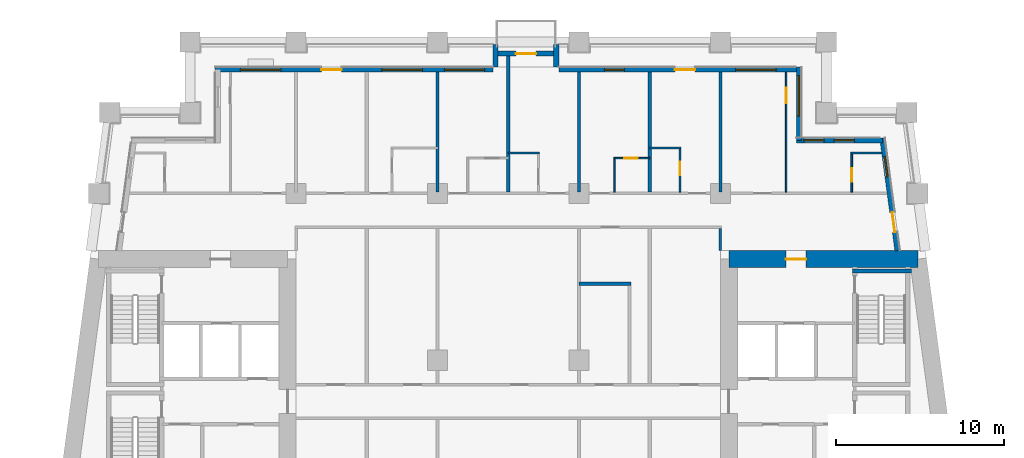
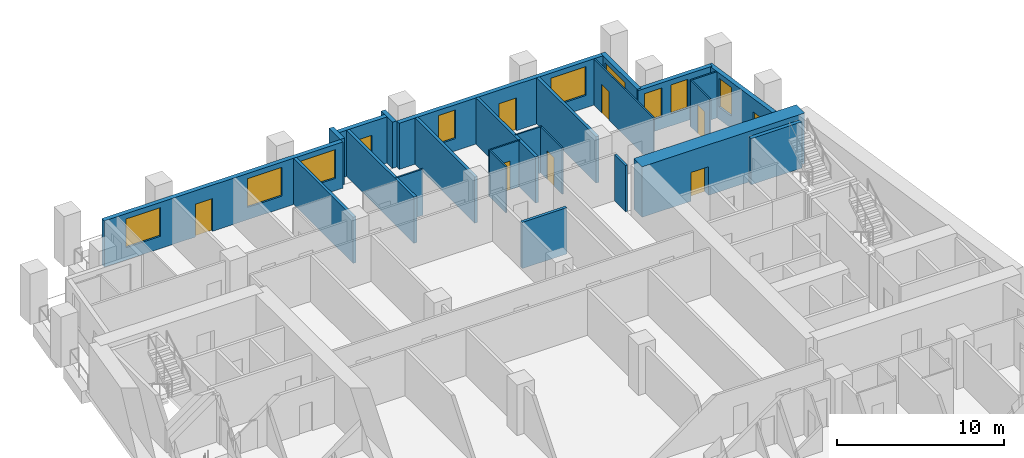
# One storey, part 8 of 14: 25 walls, 9 doors, 9 windows, 18 openings.
"""IFC4 building model written with IfcOpenShell, lengths in metres."""

from ifc_helpers import new_model, si_unit, direction, frame, frame_2d, origin, place, context, subcontext, project, spatial, rectangle, extrude, material, layer, layer_set, type_object, element, fill, save


model = new_model("IFC4")

# Units and contexts
model_context = context("Model", 3, precision=1e-05, world=origin(), true_north=direction((0.0, 1.0)))
body_context = subcontext(model_context, "Body", "Model", "MODEL_VIEW")
ifc_project = project(units=[si_unit("LENGTHUNIT", "METRE"), si_unit("AREAUNIT", "SQUARE_METRE"), si_unit("VOLUMEUNIT", "CUBIC_METRE"), si_unit("PLANEANGLEUNIT", "RADIAN"), si_unit("MASSUNIT", "GRAM", prefix="KILO")], contexts=[model_context])

# Site, building, storey
site_placement = place(None, origin())
site = spatial("IfcSite", under=ifc_project, at=site_placement, CompositionType="ELEMENT")
building_placement = place(site_placement, origin())
building = spatial("IfcBuilding", under=site, at=building_placement, Name="Candeia Pilgrim Tower and Theatre", CompositionType="ELEMENT")
storey_placement = place(building_placement, frame((0.0, 0.0, 124.300048828125)))
storey = spatial("IfcBuildingStorey", under=building, at=storey_placement, Name="L29", CompositionType="ELEMENT", Elevation=124.300048828125)

# Wall, opening, door
ifc_material_1 = material(Name="Concrete C70/85", Category="concrete")
ifc_layer_1 = layer(ifc_material_1, 1.0)
ifc_layer_set_1 = layer_set([ifc_layer_1], Name="Core wall 1000 C70/85")
wall_type_1 = type_object("IfcWallType", Name="Core wall 1000 C70/85", PredefinedType="SHEAR", material=ifc_layer_set_1)
wall_1_placement = place(storey_placement, frame((126.5, 131.89990234375, 0.0), z_axis=(0.0, 0.0, 1.0), x_axis=(1.0, 0.0, 0.0)))
wall_1 = element("IfcWall", 1, at=wall_1_placement, inside=storey, type_object=wall_type_1, Name="Core wall E1", PredefinedType="SHEAR", context=body_context, shape_type="SweptSolid", body=[
    extrude(rectangle(XDim=11.23193359375, YDim=1.0, at=frame_2d((5.615966796875, 0.0))), origin(), (0.0, 0.0, 1.0), 3.699951171875),
])
opening_1_placement = place(wall_1_placement, frame((3.386474609375, 0.0, 0.0)))
opening_1 = element("IfcOpeningElement", 2, at=opening_1_placement, cuts=wall_1, Name="Opening L29-D070", PredefinedType="OPENING", context=body_context, shape_type="SweptSolid", body=[
    extrude(rectangle(XDim=1.199951171875, YDim=2.10009765625, at=frame_2d((0.60009765625, 1.050048828125))), frame((0.0, 0.510009765625, 0.0), z_axis=(0.0, -1.0, 0.0), x_axis=(1.0, 0.0, 0.0)), (0.0, 0.0, 1.0), 1.02001953125),
])
ifc_material_2 = material(Name="Steel fire door set", Category="steel")
door_type_1 = type_object("IfcDoorType", Name="D-1200-FD60", OperationType="NOTDEFINED", PredefinedType="DOOR", material=ifc_material_2)
door_1_placement = place(opening_1_placement, origin())
door_1 = element("IfcDoor", 3, at=door_1_placement, inside=storey, type_object=door_type_1, Name="Door L29-D070", OperationType="SINGLE_SWING_LEFT", OverallHeight=2.10009765625, OverallWidth=1.199951171875, PredefinedType="DOOR", context=body_context, shape_type="SweptSolid", body=[
    extrude(rectangle(XDim=1.199951171875, YDim=2.10009765625, at=frame_2d((0.60009765625, 1.050048828125))), frame((0.0, 0.02490234375, 0.0), z_axis=(0.0, -1.0, 0.0), x_axis=(1.0, 0.0, 0.0)), (0.0, 0.0, 1.0), 0.050048828125),
])
fill(opening_1, door_1)

# Wall, openings, door, window
ifc_material_3 = material(Name="Ceramic block masonry", Category="masonry")
ifc_layer_2 = layer(ifc_material_3, 0.300048828125)
ifc_layer_set_2 = layer_set([ifc_layer_2], Name="EW1 glazing-line wall 300")
wall_type_2 = type_object("IfcWallType", Name="EW1 glazing-line wall 300", PredefinedType="SOLIDWALL", material=ifc_layer_set_2)
wall_2_placement = place(storey_placement, frame((136.50439453125, 132.39990234375, 0.0), z_axis=(0.0, 0.0, 1.0), x_axis=(-0.133399697462, 0.99106231929, 0.0)))
wall_2 = element("IfcWall", 4, at=wall_2_placement, inside=storey, type_object=wall_type_2, Name="External wall L29-3.1", PredefinedType="SOLIDWALL", context=body_context, shape_type="SweptSolid", body=[
    extrude(rectangle(XDim=6.740478515625, YDim=0.300048828125, at=frame_2d((3.3701171875, 0.0))), origin(), (0.0, 0.0, 1.0), 3.3798828125),
])
opening_2_placement = place(wall_2_placement, frame((1.115234375, 0.0, 0.0)))
opening_2 = element("IfcOpeningElement", 5, at=opening_2_placement, cuts=wall_2, Name="Opening L29-ED294", PredefinedType="OPENING", context=body_context, shape_type="SweptSolid", body=[
    extrude(rectangle(XDim=1.199951171875, YDim=2.39990234375, at=frame_2d((0.60009765625, 1.199951171875))), frame((0.0, 0.16015625, 0.0), z_axis=(0.0, -1.0, 0.0), x_axis=(1.0, 0.0, 0.0)), (0.0, 0.0, 1.0), 0.320068359375),
])
opening_3_placement = place(wall_2_placement, frame((4.435546875, 0.0, 0.89990234375)))
opening_3 = element("IfcOpeningElement", 6, at=opening_3_placement, cuts=wall_2, Name="Opening W-B", PredefinedType="OPENING", context=body_context, shape_type="SweptSolid", body=[
    extrude(rectangle(XDim=1.199951171875, YDim=2.10009765625, at=frame_2d((0.60009765625, 1.050048828125))), frame((0.0, 0.16015625, 0.0), z_axis=(0.0, -1.0, 0.0), x_axis=(1.0, 0.0, 0.0)), (0.0, 0.0, 1.0), 0.320068359375),
])
ifc_material_4 = material(Name="Aluminium framed glazed door", Category="aluminium")
door_type_2 = type_object("IfcDoorType", Name="Loggia door 1200x2400", OperationType="DOUBLE_DOOR_SINGLE_SWING", PredefinedType="DOOR", material=ifc_material_4)
door_2_placement = place(opening_2_placement, origin())
door_2 = element("IfcDoor", 7, at=door_2_placement, inside=storey, type_object=door_type_2, Name="Loggia door L29-ED294", OperationType="DOUBLE_DOOR_SINGLE_SWING", OverallHeight=2.39990234375, OverallWidth=1.199951171875, PredefinedType="DOOR", context=body_context, shape_type="SweptSolid", body=[
    extrude(rectangle(XDim=1.199951171875, YDim=2.39990234375, at=frame_2d((0.60009765625, 1.199951171875))), frame((0.0, 0.02490234375, 0.0), z_axis=(0.0, -1.0, 0.0), x_axis=(1.0, 0.0, 0.0)), (0.0, 0.0, 1.0), 0.050048828125),
])
fill(opening_2, door_2)
ifc_material_5 = material(Name="Aluminium framed double glazing", Category="aluminium")
window_type_1 = type_object("IfcWindowType", Name="W-B window 1200x2100", PartitioningType="SINGLE_PANEL", PredefinedType="WINDOW", material=ifc_material_5)
window_1_placement = place(opening_3_placement, origin())
window_1 = element("IfcWindow", 8, at=window_1_placement, inside=storey, type_object=window_type_1, Name="Window W-B L29", OverallHeight=2.10009765625, OverallWidth=1.199951171875, PartitioningType="SINGLE_PANEL", PredefinedType="WINDOW", context=body_context, shape_type="SweptSolid", body=[
    extrude(rectangle(XDim=1.199951171875, YDim=2.10009765625, at=frame_2d((0.60009765625, 1.050048828125))), frame((0.0, 0.030029296875, 0.0), z_axis=(0.0, -1.0, 0.0), x_axis=(1.0, 0.0, 0.0)), (0.0, 0.0, 1.0), 0.06005859375),
])
fill(opening_3, window_1)

# Wall, openings, windows
wall_3_placement = place(storey_placement, frame((135.62255859375, 138.949951171875, 0.0), z_axis=(0.0, 0.0, 1.0), x_axis=(-1.0, 0.0, 0.0)))
wall_3 = element("IfcWall", 9, at=wall_3_placement, inside=storey, type_object=wall_type_2, Name="External wall L29-4.0", PredefinedType="SOLIDWALL", context=body_context, shape_type="SweptSolid", body=[
    extrude(rectangle(XDim=5.12255859375, YDim=0.300048828125, at=frame_2d((2.561279296875, 0.0))), origin(), (0.0, 0.0, 1.0), 3.3798828125),
])
opening_4_placement = place(wall_3_placement, frame((1.672607421875, 0.0, 0.89990234375)))
opening_4 = element("IfcOpeningElement", 10, at=opening_4_placement, cuts=wall_3, Name="Opening W-B", PredefinedType="OPENING", context=body_context, shape_type="SweptSolid", body=[
    extrude(rectangle(XDim=1.199951171875, YDim=2.10009765625, at=frame_2d((0.60009765625, 1.050048828125))), frame((0.0, 0.16015625, 0.0), z_axis=(0.0, -1.0, 0.0), x_axis=(1.0, 0.0, 0.0)), (0.0, 0.0, 1.0), 0.320068359375),
])
opening_5_placement = place(wall_3_placement, frame((3.47265625, 0.0, 0.89990234375)))
opening_5 = element("IfcOpeningElement", 11, at=opening_5_placement, cuts=wall_3, Name="Opening W-B", PredefinedType="OPENING", context=body_context, shape_type="SweptSolid", body=[
    extrude(rectangle(XDim=1.199951171875, YDim=2.10009765625, at=frame_2d((0.60009765625, 1.050048828125))), frame((0.0, 0.16015625, 0.0), z_axis=(0.0, -1.0, 0.0), x_axis=(1.0, 0.0, 0.0)), (0.0, 0.0, 1.0), 0.320068359375),
])
window_2_placement = place(opening_4_placement, origin())
window_2 = element("IfcWindow", 12, at=window_2_placement, inside=storey, type_object=window_type_1, Name="Window W-B L29", OverallHeight=2.10009765625, OverallWidth=1.199951171875, PartitioningType="SINGLE_PANEL", PredefinedType="WINDOW", context=body_context, shape_type="SweptSolid", body=[
    extrude(rectangle(XDim=1.199951171875, YDim=2.10009765625, at=frame_2d((0.60009765625, 1.050048828125))), frame((0.0, 0.030029296875, 0.0), z_axis=(0.0, -1.0, 0.0), x_axis=(1.0, 0.0, 0.0)), (0.0, 0.0, 1.0), 0.06005859375),
])
fill(opening_4, window_2)
window_3_placement = place(opening_5_placement, origin())
window_3 = element("IfcWindow", 13, at=window_3_placement, inside=storey, type_object=window_type_1, Name="Window W-B L29", OverallHeight=2.10009765625, OverallWidth=1.199951171875, PartitioningType="SINGLE_PANEL", PredefinedType="WINDOW", context=body_context, shape_type="SweptSolid", body=[
    extrude(rectangle(XDim=1.199951171875, YDim=2.10009765625, at=frame_2d((0.60009765625, 1.050048828125))), frame((0.0, 0.030029296875, 0.0), z_axis=(0.0, -1.0, 0.0), x_axis=(1.0, 0.0, 0.0)), (0.0, 0.0, 1.0), 0.06005859375),
])
fill(opening_5, window_3)

# Wall, opening, window
wall_4_placement = place(storey_placement, frame((130.64990234375, 138.949951171875, 0.0), z_axis=(0.0, 0.0, 1.0), x_axis=(0.0, 1.0, 0.0)))
wall_4 = element("IfcWall", 14, at=wall_4_placement, inside=storey, type_object=wall_type_2, Name="External wall L29-5.0", PredefinedType="SOLIDWALL", context=body_context, shape_type="SweptSolid", body=[
    extrude(rectangle(XDim=4.35009765625, YDim=0.300048828125, at=frame_2d((2.175048828125, 0.0))), origin(), (0.0, 0.0, 1.0), 3.3798828125),
])
opening_6_placement = place(wall_4_placement, frame((1.449951171875, 0.0, 0.89990234375)))
opening_6 = element("IfcOpeningElement", 15, at=opening_6_placement, cuts=wall_4, Name="Opening W-A", PredefinedType="OPENING", context=body_context, shape_type="SweptSolid", body=[
    extrude(rectangle(XDim=2.39990234375, YDim=2.10009765625, at=frame_2d((1.199951171875, 1.050048828125))), frame((0.0, 0.16015625, 0.0), z_axis=(0.0, -1.0, 0.0), x_axis=(1.0, 0.0, 0.0)), (0.0, 0.0, 1.0), 0.320068359375),
])
window_type_2 = type_object("IfcWindowType", Name="W-A window 2400x2100", PartitioningType="DOUBLE_PANEL_VERTICAL", PredefinedType="WINDOW", material=ifc_material_5)
window_4_placement = place(opening_6_placement, origin())
window_4 = element("IfcWindow", 16, at=window_4_placement, inside=storey, type_object=window_type_2, Name="Window W-A L29", OverallHeight=2.10009765625, OverallWidth=2.39990234375, PartitioningType="SINGLE_PANEL", PredefinedType="WINDOW", context=body_context, shape_type="SweptSolid", body=[
    extrude(rectangle(XDim=2.39990234375, YDim=2.10009765625, at=frame_2d((1.199951171875, 1.050048828125))), frame((0.0, 0.030029296875, 0.0), z_axis=(0.0, -1.0, 0.0), x_axis=(1.0, 0.0, 0.0)), (0.0, 0.0, 1.0), 0.06005859375),
])
fill(opening_6, window_4)

# Wall, openings, door, windows
wall_5_placement = place(storey_placement, frame((130.64990234375, 143.14990234375, 0.0), z_axis=(0.0, 0.0, 1.0), x_axis=(-1.0, 0.0, 0.0)))
wall_5 = element("IfcWall", 17, at=wall_5_placement, inside=storey, type_object=wall_type_2, Name="External wall L29-6.0", PredefinedType="SOLIDWALL", context=body_context, shape_type="SweptSolid", body=[
    extrude(rectangle(XDim=14.25, YDim=0.300048828125, at=frame_2d((7.125, 0.0))), origin(), (0.0, 0.0, 1.0), 3.3798828125),
])
opening_7_placement = place(wall_5_placement, frame((1.35009765625, 0.0, 0.89990234375)))
opening_7 = element("IfcOpeningElement", 18, at=opening_7_placement, cuts=wall_5, Name="Opening W-A", PredefinedType="OPENING", context=body_context, shape_type="SweptSolid", body=[
    extrude(rectangle(XDim=2.39990234375, YDim=2.10009765625, at=frame_2d((1.199951171875, 1.050048828125))), frame((0.0, 0.16015625, 0.0), z_axis=(0.0, -1.0, 0.0), x_axis=(1.0, 0.0, 0.0)), (0.0, 0.0, 1.0), 0.320068359375),
])
opening_8_placement = place(wall_5_placement, frame((6.14990234375, 0.0, 0.0)))
opening_8 = element("IfcOpeningElement", 19, at=opening_8_placement, cuts=wall_5, Name="Opening L29-ED295", PredefinedType="OPENING", context=body_context, shape_type="SweptSolid", body=[
    extrude(rectangle(XDim=1.199951171875, YDim=2.39990234375, at=frame_2d((0.60009765625, 1.199951171875))), frame((0.0, 0.16015625, 0.0), z_axis=(0.0, -1.0, 0.0), x_axis=(1.0, 0.0, 0.0)), (0.0, 0.0, 1.0), 0.320068359375),
])
opening_9_placement = place(wall_5_placement, frame((10.35009765625, 0.0, 0.89990234375)))
opening_9 = element("IfcOpeningElement", 20, at=opening_9_placement, cuts=wall_5, Name="Opening W-B", PredefinedType="OPENING", context=body_context, shape_type="SweptSolid", body=[
    extrude(rectangle(XDim=1.199951171875, YDim=2.10009765625, at=frame_2d((0.60009765625, 1.050048828125))), frame((0.0, 0.16015625, 0.0), z_axis=(0.0, -1.0, 0.0), x_axis=(1.0, 0.0, 0.0)), (0.0, 0.0, 1.0), 0.320068359375),
])
door_3_placement = place(opening_8_placement, origin())
door_3 = element("IfcDoor", 21, at=door_3_placement, inside=storey, type_object=door_type_2, Name="Loggia door L29-ED295", OperationType="DOUBLE_DOOR_SINGLE_SWING", OverallHeight=2.39990234375, OverallWidth=1.199951171875, PredefinedType="DOOR", context=body_context, shape_type="SweptSolid", body=[
    extrude(rectangle(XDim=1.199951171875, YDim=2.39990234375, at=frame_2d((0.60009765625, 1.199951171875))), frame((0.0, 0.02490234375, 0.0), z_axis=(0.0, -1.0, 0.0), x_axis=(1.0, 0.0, 0.0)), (0.0, 0.0, 1.0), 0.050048828125),
])
fill(opening_8, door_3)
window_5_placement = place(opening_7_placement, origin())
window_5 = element("IfcWindow", 22, at=window_5_placement, inside=storey, type_object=window_type_2, Name="Window W-A L29", OverallHeight=2.10009765625, OverallWidth=2.39990234375, PartitioningType="SINGLE_PANEL", PredefinedType="WINDOW", context=body_context, shape_type="SweptSolid", body=[
    extrude(rectangle(XDim=2.39990234375, YDim=2.10009765625, at=frame_2d((1.199951171875, 1.050048828125))), frame((0.0, 0.030029296875, 0.0), z_axis=(0.0, -1.0, 0.0), x_axis=(1.0, 0.0, 0.0)), (0.0, 0.0, 1.0), 0.06005859375),
])
fill(opening_7, window_5)
window_6_placement = place(opening_9_placement, origin())
window_6 = element("IfcWindow", 23, at=window_6_placement, inside=storey, type_object=window_type_1, Name="Window W-B L29", OverallHeight=2.10009765625, OverallWidth=1.199951171875, PartitioningType="SINGLE_PANEL", PredefinedType="WINDOW", context=body_context, shape_type="SweptSolid", body=[
    extrude(rectangle(XDim=1.199951171875, YDim=2.10009765625, at=frame_2d((0.60009765625, 1.050048828125))), frame((0.0, 0.030029296875, 0.0), z_axis=(0.0, -1.0, 0.0), x_axis=(1.0, 0.0, 0.0)), (0.0, 0.0, 1.0), 0.06005859375),
])
fill(opening_9, window_6)

wall_6_placement = place(storey_placement, frame((112.5, 143.14990234375, 0.0), z_axis=(0.0, 0.0, 1.0), x_axis=(-1.0, 0.0, 0.0)))
wall_6 = element("IfcWall", 24, at=wall_6_placement, inside=storey, type_object=wall_type_2, Name="External wall L29-6.1", PredefinedType="SOLIDWALL", context=body_context, shape_type="SweptSolid", body=[
    extrude(rectangle(XDim=16.5, YDim=0.300048828125, at=frame_2d((8.25, 0.0))), origin(), (0.0, 0.0, 1.0), 3.3798828125),
])
opening_10_placement = place(wall_6_placement, frame((0.5, 0.0, 0.89990234375)))
opening_10 = element("IfcOpeningElement", 25, at=opening_10_placement, cuts=wall_6, Name="Opening W-A", PredefinedType="OPENING", context=body_context, shape_type="SweptSolid", body=[
    extrude(rectangle(XDim=2.39990234375, YDim=2.10009765625, at=frame_2d((1.199951171875, 1.050048828125))), frame((0.0, 0.16015625, 0.0), z_axis=(0.0, -1.0, 0.0), x_axis=(1.0, 0.0, 0.0)), (0.0, 0.0, 1.0), 0.320068359375),
])
opening_11_placement = place(wall_6_placement, frame((4.199951171875, 0.0, 0.89990234375)))
opening_11 = element("IfcOpeningElement", 26, at=opening_11_placement, cuts=wall_6, Name="Opening W-A", PredefinedType="OPENING", context=body_context, shape_type="SweptSolid", body=[
    extrude(rectangle(XDim=2.39990234375, YDim=2.10009765625, at=frame_2d((1.199951171875, 1.050048828125))), frame((0.0, 0.16015625, 0.0), z_axis=(0.0, -1.0, 0.0), x_axis=(1.0, 0.0, 0.0)), (0.0, 0.0, 1.0), 0.320068359375),
])
opening_12_placement = place(wall_6_placement, frame((9.0, 0.0, 0.0)))
opening_12 = element("IfcOpeningElement", 27, at=opening_12_placement, cuts=wall_6, Name="Opening L29-ED296", PredefinedType="OPENING", context=body_context, shape_type="SweptSolid", body=[
    extrude(rectangle(XDim=1.199951171875, YDim=2.39990234375, at=frame_2d((0.60009765625, 1.199951171875))), frame((0.0, 0.16015625, 0.0), z_axis=(0.0, -1.0, 0.0), x_axis=(1.0, 0.0, 0.0)), (0.0, 0.0, 1.0), 0.320068359375),
])
opening_13_placement = place(wall_6_placement, frame((12.60009765625, 0.0, 0.89990234375)))
opening_13 = element("IfcOpeningElement", 28, at=opening_13_placement, cuts=wall_6, Name="Opening W-A", PredefinedType="OPENING", context=body_context, shape_type="SweptSolid", body=[
    extrude(rectangle(XDim=2.39990234375, YDim=2.10009765625, at=frame_2d((1.199951171875, 1.050048828125))), frame((0.0, 0.16015625, 0.0), z_axis=(0.0, -1.0, 0.0), x_axis=(1.0, 0.0, 0.0)), (0.0, 0.0, 1.0), 0.320068359375),
])
door_4_placement = place(opening_12_placement, origin())
door_4 = element("IfcDoor", 29, at=door_4_placement, inside=storey, type_object=door_type_2, Name="Loggia door L29-ED296", OperationType="DOUBLE_DOOR_SINGLE_SWING", OverallHeight=2.39990234375, OverallWidth=1.199951171875, PredefinedType="DOOR", context=body_context, shape_type="SweptSolid", body=[
    extrude(rectangle(XDim=1.199951171875, YDim=2.39990234375, at=frame_2d((0.60009765625, 1.199951171875))), frame((0.0, 0.02490234375, 0.0), z_axis=(0.0, -1.0, 0.0), x_axis=(1.0, 0.0, 0.0)), (0.0, 0.0, 1.0), 0.050048828125),
])
fill(opening_12, door_4)
window_7_placement = place(opening_10_placement, origin())
window_7 = element("IfcWindow", 30, at=window_7_placement, inside=storey, type_object=window_type_2, Name="Window W-A L29", OverallHeight=2.10009765625, OverallWidth=2.39990234375, PartitioningType="SINGLE_PANEL", PredefinedType="WINDOW", context=body_context, shape_type="SweptSolid", body=[
    extrude(rectangle(XDim=2.39990234375, YDim=2.10009765625, at=frame_2d((1.199951171875, 1.050048828125))), frame((0.0, 0.030029296875, 0.0), z_axis=(0.0, -1.0, 0.0), x_axis=(1.0, 0.0, 0.0)), (0.0, 0.0, 1.0), 0.06005859375),
])
fill(opening_10, window_7)
window_8_placement = place(opening_11_placement, origin())
window_8 = element("IfcWindow", 31, at=window_8_placement, inside=storey, type_object=window_type_2, Name="Window W-A L29", OverallHeight=2.10009765625, OverallWidth=2.39990234375, PartitioningType="SINGLE_PANEL", PredefinedType="WINDOW", context=body_context, shape_type="SweptSolid", body=[
    extrude(rectangle(XDim=2.39990234375, YDim=2.10009765625, at=frame_2d((1.199951171875, 1.050048828125))), frame((0.0, 0.030029296875, 0.0), z_axis=(0.0, -1.0, 0.0), x_axis=(1.0, 0.0, 0.0)), (0.0, 0.0, 1.0), 0.06005859375),
])
fill(opening_11, window_8)
window_9_placement = place(opening_13_placement, origin())
window_9 = element("IfcWindow", 32, at=window_9_placement, inside=storey, type_object=window_type_2, Name="Window W-A L29", OverallHeight=2.10009765625, OverallWidth=2.39990234375, PartitioningType="SINGLE_PANEL", PredefinedType="WINDOW", context=body_context, shape_type="SweptSolid", body=[
    extrude(rectangle(XDim=2.39990234375, YDim=2.10009765625, at=frame_2d((1.199951171875, 1.050048828125))), frame((0.0, 0.030029296875, 0.0), z_axis=(0.0, -1.0, 0.0), x_axis=(1.0, 0.0, 0.0)), (0.0, 0.0, 1.0), 0.06005859375),
])
fill(opening_13, window_9)

# Walls
ifc_layer_3 = layer(ifc_material_3, 0.300048828125)
ifc_layer_set_3 = layer_set([ifc_layer_3], Name="EW2 entrance infill wall 300")
wall_type_3 = type_object("IfcWallType", Name="EW2 entrance infill wall 300", PredefinedType="SOLIDWALL", material=ifc_layer_set_3)
for number, where, z_axis, x_axis, name in (
    (33, (116.25, 143.300048828125, 0.0), (0.0, 0.0, 1.0), (0.0, 1.0, 0.0), "Alcove wall L29"),
    (34, (112.64990234375, 143.300048828125, 0.0), (0.0, 0.0, 1.0), (0.0, 1.0, 0.0), "Alcove wall L29"),
):
    element("IfcWall", number, at=place(storey_placement, frame(where, z_axis=z_axis, x_axis=x_axis)), inside=storey, type_object=wall_type_3, Name=name, PredefinedType="SOLIDWALL", context=body_context, shape_type="SweptSolid", body=[
        extrude(rectangle(XDim=1.349853515625, YDim=0.300048828125, at=frame_2d((0.6748046875, 0.0))), origin(), (0.0, 0.0, 1.0), 3.3798828125),
    ])

# Wall, opening, door
wall_7_placement = place(storey_placement, frame((116.39990234375, 144.10009765625, 0.0), z_axis=(0.0, 0.0, 1.0), x_axis=(-1.0, 0.0, 0.0)))
wall_7 = element("IfcWall", 35, at=wall_7_placement, inside=storey, type_object=wall_type_3, Name="Alcove wall L29", PredefinedType="SOLIDWALL", context=body_context, shape_type="SweptSolid", body=[
    extrude(rectangle(XDim=3.89990234375, YDim=0.300048828125, at=frame_2d((1.949951171875, 0.0))), origin(), (0.0, 0.0, 1.0), 3.3798828125),
])
opening_14_placement = place(wall_7_placement, frame((1.35009765625, 0.0, 0.0)))
opening_14 = element("IfcOpeningElement", 36, at=opening_14_placement, cuts=wall_7, Name="Opening L29-ED297", PredefinedType="OPENING", context=body_context, shape_type="SweptSolid", body=[
    extrude(rectangle(XDim=1.199951171875, YDim=2.39990234375, at=frame_2d((0.60009765625, 1.199951171875))), frame((0.0, 0.16015625, 0.0), z_axis=(0.0, -1.0, 0.0), x_axis=(1.0, 0.0, 0.0)), (0.0, 0.0, 1.0), 0.320068359375),
])
door_5_placement = place(opening_14_placement, origin())
door_5 = element("IfcDoor", 37, at=door_5_placement, inside=storey, type_object=door_type_2, Name="Balcony door L29-ED297", OperationType="DOUBLE_DOOR_SINGLE_SWING", OverallHeight=2.39990234375, OverallWidth=1.199951171875, PredefinedType="DOOR", context=body_context, shape_type="SweptSolid", body=[
    extrude(rectangle(XDim=1.199951171875, YDim=2.39990234375, at=frame_2d((0.60009765625, 1.199951171875))), frame((0.0, 0.02490234375, 0.0), z_axis=(0.0, -1.0, 0.0), x_axis=(1.0, 0.0, 0.0)), (0.0, 0.0, 1.0), 0.050048828125),
])
fill(opening_14, door_5)

ifc_material_6 = material(Name="Gypsum board partition on steel studs", Category="steel")
ifc_layer_4 = layer(ifc_material_6, 0.10009765625)
ifc_layer_set_4 = layer_set([ifc_layer_4], Name="PW-100 room partition")
wall_type_4 = type_object("IfcWallType", Name="PW-100 room partition", PredefinedType="PARTITIONING", material=ifc_layer_set_4)
wall_8_placement = place(storey_placement, frame((119.64990234375, 137.89990234375, 0.0), z_axis=(0.0, 0.0, 1.0), x_axis=(1.0, 0.0, 0.0)))
wall_8 = element("IfcWall", 38, at=wall_8_placement, inside=storey, type_object=wall_type_4, Name="Room partition L29-048", PredefinedType="PARTITIONING", context=body_context, shape_type="SweptSolid", body=[
    extrude(rectangle(XDim=2.150146484375, YDim=0.10009765625, at=frame_2d((1.0751953125, 0.0))), origin(), (0.0, 0.0, 1.0), 3.3798828125),
])
opening_15_placement = place(wall_8_placement, frame((0.639892578125, 0.0, 0.0)))
opening_15 = element("IfcOpeningElement", 39, at=opening_15_placement, cuts=wall_8, Name="Opening L29-D049", PredefinedType="OPENING", context=body_context, shape_type="SweptSolid", body=[
    extrude(rectangle(XDim=0.800048828125, YDim=2.10009765625, at=frame_2d((0.39990234375, 1.050048828125))), frame((0.0, 0.06005859375, 0.0), z_axis=(0.0, -1.0, 0.0), x_axis=(1.0, 0.0, 0.0)), (0.0, 0.0, 1.0), 0.1201171875),
])
ifc_material_7 = material(Name="Timber door leaf", Category="wood")
door_type_3 = type_object("IfcDoorType", Name="D-800", OperationType="NOTDEFINED", PredefinedType="DOOR", material=ifc_material_7)
door_6_placement = place(opening_15_placement, origin())
door_6 = element("IfcDoor", 40, at=door_6_placement, inside=storey, type_object=door_type_3, Name="Door L29-D049", OperationType="SINGLE_SWING_RIGHT", OverallHeight=2.10009765625, OverallWidth=0.800048828125, PredefinedType="DOOR", context=body_context, shape_type="SweptSolid", body=[
    extrude(rectangle(XDim=0.800048828125, YDim=2.10009765625, at=frame_2d((0.39990234375, 1.050048828125))), frame((0.0, 0.02490234375, 0.0), z_axis=(0.0, -1.0, 0.0), x_axis=(1.0, 0.0, 0.0)), (0.0, 0.0, 1.0), 0.050048828125),
])
fill(opening_15, door_6)

# Walls
wall_9_placement = place(storey_placement, frame((113.39990234375, 138.199951171875, 0.0), z_axis=(0.0, 0.0, 1.0), x_axis=(1.0, 0.0, 0.0)))
element("IfcWall", 41, at=wall_9_placement, inside=storey, type_object=wall_type_4, Name="Room partition L29-050", PredefinedType="PARTITIONING", context=body_context, shape_type="SweptSolid", body=[
    extrude(rectangle(XDim=1.85009765625, YDim=0.10009765625, at=frame_2d((0.925048828125, 0.0))), origin(), (0.0, 0.0, 1.0), 3.3798828125),
])
wall_10_placement = place(storey_placement, frame((133.75, 138.199951171875, 0.0), z_axis=(0.0, 0.0, 1.0), x_axis=(1.0, 0.0, 0.0)))
element("IfcWall", 42, at=wall_10_placement, inside=storey, type_object=wall_type_4, Name="Room partition L29-051", PredefinedType="PARTITIONING", context=body_context, shape_type="SweptSolid", body=[
    extrude(rectangle(XDim=1.832275390625, YDim=0.10009765625, at=frame_2d((0.916015625, 0.0))), origin(), (0.0, 0.0, 1.0), 3.3798828125),
])
wall_11_placement = place(storey_placement, frame((121.800048828125, 138.5, 0.0), z_axis=(0.0, 0.0, 1.0), x_axis=(1.0, 0.0, 0.0)))
element("IfcWall", 43, at=wall_11_placement, inside=storey, type_object=wall_type_4, Name="Room partition L29-053", PredefinedType="PARTITIONING", context=body_context, shape_type="SweptSolid", body=[
    extrude(rectangle(XDim=1.849853515625, YDim=0.10009765625, at=frame_2d((0.9248046875, 0.0))), origin(), (0.0, 0.0, 1.0), 3.3798828125),
])
wall_12_placement = place(storey_placement, frame((119.699951171875, 135.875, 0.0), z_axis=(0.0, 0.0, 1.0), x_axis=(0.0, 1.0, 0.0)))
element("IfcWall", 44, at=wall_12_placement, inside=storey, type_object=wall_type_4, Name="Room partition L29-102", PredefinedType="PARTITIONING", context=body_context, shape_type="SweptSolid", body=[
    extrude(rectangle(XDim=1.97509765625, YDim=0.10009765625, at=frame_2d((0.987548828125, 0.0))), origin(), (0.0, 0.0, 1.0), 3.3798828125),
])

# Wall, opening, door
wall_13_placement = place(storey_placement, frame((123.60009765625, 135.875, 0.0), z_axis=(0.0, 0.0, 1.0), x_axis=(0.0, 1.0, 0.0)))
wall_13 = element("IfcWall", 45, at=wall_13_placement, inside=storey, type_object=wall_type_4, Name="Room partition L29-110", PredefinedType="PARTITIONING", context=body_context, shape_type="SweptSolid", body=[
    extrude(rectangle(XDim=2.574951171875, YDim=0.10009765625, at=frame_2d((1.28759765625, 0.0))), origin(), (0.0, 0.0, 1.0), 3.3798828125),
])
opening_16_placement = place(wall_13_placement, frame((0.9951171875, 0.0, 0.0)))
opening_16 = element("IfcOpeningElement", 46, at=opening_16_placement, cuts=wall_13, Name="Opening L29-D051", PredefinedType="OPENING", context=body_context, shape_type="SweptSolid", body=[
    extrude(rectangle(XDim=0.800048828125, YDim=2.10009765625, at=frame_2d((0.39990234375, 1.050048828125))), frame((0.0, 0.06005859375, 0.0), z_axis=(0.0, -1.0, 0.0), x_axis=(1.0, 0.0, 0.0)), (0.0, 0.0, 1.0), 0.1201171875),
])
door_7_placement = place(opening_16_placement, origin())
door_7 = element("IfcDoor", 47, at=door_7_placement, inside=storey, type_object=door_type_3, Name="Door L29-D051", OperationType="SINGLE_SWING_RIGHT", OverallHeight=2.10009765625, OverallWidth=0.800048828125, PredefinedType="DOOR", context=body_context, shape_type="SweptSolid", body=[
    extrude(rectangle(XDim=0.800048828125, YDim=2.10009765625, at=frame_2d((0.39990234375, 1.050048828125))), frame((0.0, 0.02490234375, 0.0), z_axis=(0.0, -1.0, 0.0), x_axis=(1.0, 0.0, 0.0)), (0.0, 0.0, 1.0), 0.050048828125),
])
fill(opening_16, door_7)

wall_14_placement = place(storey_placement, frame((129.89990234375, 135.875, 0.0), z_axis=(0.0, 0.0, 1.0), x_axis=(0.0, 1.0, 0.0)))
wall_14 = element("IfcWall", 48, at=wall_14_placement, inside=storey, type_object=wall_type_4, Name="Room partition L29-119", PredefinedType="PARTITIONING", context=body_context, shape_type="SweptSolid", body=[
    extrude(rectangle(XDim=7.135009765625, YDim=0.10009765625, at=frame_2d((3.5673828125, 0.0))), origin(), (0.0, 0.0, 1.0), 3.3798828125),
])
opening_17_placement = place(wall_14_placement, frame((5.2900390625, 0.0, 0.0)))
opening_17 = element("IfcOpeningElement", 49, at=opening_17_placement, cuts=wall_14, Name="Opening L29-D053", PredefinedType="OPENING", context=body_context, shape_type="SweptSolid", body=[
    extrude(rectangle(XDim=0.89990234375, YDim=2.10009765625, at=frame_2d((0.449951171875, 1.050048828125))), frame((0.0, 0.06005859375, 0.0), z_axis=(0.0, -1.0, 0.0), x_axis=(1.0, 0.0, 0.0)), (0.0, 0.0, 1.0), 0.1201171875),
])
door_type_4 = type_object("IfcDoorType", Name="D-900", OperationType="NOTDEFINED", PredefinedType="DOOR", material=ifc_material_7)
door_8_placement = place(opening_17_placement, origin())
door_8 = element("IfcDoor", 50, at=door_8_placement, inside=storey, type_object=door_type_4, Name="Door L29-D053", OperationType="SINGLE_SWING_RIGHT", OverallHeight=2.10009765625, OverallWidth=0.89990234375, PredefinedType="DOOR", context=body_context, shape_type="SweptSolid", body=[
    extrude(rectangle(XDim=0.89990234375, YDim=2.10009765625, at=frame_2d((0.449951171875, 1.050048828125))), frame((0.0, 0.02490234375, 0.0), z_axis=(0.0, -1.0, 0.0), x_axis=(1.0, 0.0, 0.0)), (0.0, 0.0, 1.0), 0.050048828125),
])
fill(opening_17, door_8)

wall_15_placement = place(storey_placement, frame((133.800048828125, 135.875, 0.0), z_axis=(0.0, 0.0, 1.0), x_axis=(0.0, 1.0, 0.0)))
wall_15 = element("IfcWall", 51, at=wall_15_placement, inside=storey, type_object=wall_type_4, Name="Room partition L29-126", PredefinedType="PARTITIONING", context=body_context, shape_type="SweptSolid", body=[
    extrude(rectangle(XDim=2.27490234375, YDim=0.10009765625, at=frame_2d((1.137451171875, 0.0))), origin(), (0.0, 0.0, 1.0), 3.3798828125),
])
opening_18_placement = place(wall_15_placement, frame((0.635009765625, 0.0, 0.0)))
opening_18 = element("IfcOpeningElement", 52, at=opening_18_placement, cuts=wall_15, Name="Opening L29-D054", PredefinedType="OPENING", context=body_context, shape_type="SweptSolid", body=[
    extrude(rectangle(XDim=0.800048828125, YDim=2.10009765625, at=frame_2d((0.39990234375, 1.050048828125))), frame((0.0, 0.06005859375, 0.0), z_axis=(0.0, -1.0, 0.0), x_axis=(1.0, 0.0, 0.0)), (0.0, 0.0, 1.0), 0.1201171875),
])
door_9_placement = place(opening_18_placement, origin())
door_9 = element("IfcDoor", 53, at=door_9_placement, inside=storey, type_object=door_type_3, Name="Door L29-D054", OperationType="SINGLE_SWING_LEFT", OverallHeight=2.10009765625, OverallWidth=0.800048828125, PredefinedType="DOOR", context=body_context, shape_type="SweptSolid", body=[
    extrude(rectangle(XDim=0.800048828125, YDim=2.10009765625, at=frame_2d((0.39990234375, 1.050048828125))), frame((0.0, 0.02490234375, 0.0), z_axis=(0.0, -1.0, 0.0), x_axis=(1.0, 0.0, 0.0)), (0.0, 0.0, 1.0), 0.050048828125),
])
fill(opening_18, door_9)

# Walls
ifc_layer_5 = layer(ifc_material_6, 0.14990234375)
ifc_layer_set_5 = layer_set([ifc_layer_5], Name="PW-150 unit wall")
wall_type_5 = type_object("IfcWallType", Name="PW-150 unit wall", PredefinedType="PARTITIONING", material=ifc_layer_set_5)
wall_16_placement = place(storey_placement, frame((126.0, 132.39990234375, 0.0), z_axis=(0.0, 0.0, 1.0), x_axis=(0.0, 1.0, 0.0)))
element("IfcWall", 54, at=wall_16_placement, inside=storey, type_object=wall_type_5, Name="Unit wall L29-114", PredefinedType="PARTITIONING", context=body_context, shape_type="SweptSolid", body=[
    extrude(rectangle(XDim=1.3251953125, YDim=0.14990234375, at=frame_2d((0.66259765625, 0.0))), origin(), (0.0, 0.0, 1.0), 3.3798828125),
])
ifc_layer_6 = layer(ifc_material_6, 0.199951171875)
ifc_layer_set_6 = layer_set([ifc_layer_6], Name="PW-200 party wall")
wall_type_6 = type_object("IfcWallType", Name="PW-200 party wall", PredefinedType="PARTITIONING", material=ifc_layer_set_6)
wall_17_placement = place(storey_placement, frame((117.60009765625, 130.449951171875, 0.0), z_axis=(0.0, 0.0, 1.0), x_axis=(1.0, 0.0, 0.0)))
element("IfcWall", 55, at=wall_17_placement, inside=storey, type_object=wall_type_6, Name="Party wall L29-042", PredefinedType="PARTITIONING", context=body_context, shape_type="SweptSolid", body=[
    extrude(rectangle(XDim=3.099853515625, YDim=0.199951171875, at=frame_2d((1.5498046875, 0.0))), origin(), (0.0, 0.0, 1.0), 3.3798828125),
])
wall_18_placement = place(storey_placement, frame((109.199951171875, 135.875, 0.0), z_axis=(0.0, 0.0, 1.0), x_axis=(0.0, 1.0, 0.0)))
element("IfcWall", 56, at=wall_18_placement, inside=storey, type_object=wall_type_6, Name="Party wall L29-091", PredefinedType="PARTITIONING", context=body_context, shape_type="SweptSolid", body=[
    extrude(rectangle(XDim=7.135009765625, YDim=0.199951171875, at=frame_2d((3.5673828125, 0.0))), origin(), (0.0, 0.0, 1.0), 3.3798828125),
])
wall_19_placement = place(storey_placement, frame((113.39990234375, 135.875, 0.0), z_axis=(0.0, 0.0, 1.0), x_axis=(0.0, 1.0, 0.0)))
element("IfcWall", 57, at=wall_19_placement, inside=storey, type_object=wall_type_6, Name="Party wall L29-095", PredefinedType="PARTITIONING", context=body_context, shape_type="SweptSolid", body=[
    extrude(rectangle(XDim=8.0849609375, YDim=0.199951171875, at=frame_2d((4.04248046875, 0.0))), origin(), (0.0, 0.0, 1.0), 3.3798828125),
])
for number, where, z_axis, x_axis, name in (
    (58, (117.60009765625, 135.875, 0.0), (0.0, 0.0, 1.0), (0.0, 1.0, 0.0), "Party wall L29-101"),
    (59, (121.800048828125, 135.875, 0.0), (0.0, 0.0, 1.0), (0.0, 1.0, 0.0), "Party wall L29-108"),
    (60, (126.0, 135.875, 0.0), (0.0, 0.0, 1.0), (0.0, 1.0, 0.0), "Party wall L29-112"),
):
    element("IfcWall", number, at=place(storey_placement, frame(where, z_axis=z_axis, x_axis=x_axis)), inside=storey, type_object=wall_type_6, Name=name, PredefinedType="PARTITIONING", context=body_context, shape_type="SweptSolid", body=[
        extrude(rectangle(XDim=7.135009765625, YDim=0.199951171875, at=frame_2d((3.5673828125, 0.0))), origin(), (0.0, 0.0, 1.0), 3.3798828125),
    ])
ifc_material_8 = material(Name="Concrete C40/50", Category="concrete")
ifc_layer_7 = layer(ifc_material_8, 0.25)
ifc_layer_set_7 = layer_set([ifc_layer_7], Name="SW-250 stair wall")
wall_type_7 = type_object("IfcWallType", Name="SW-250 stair wall", PredefinedType="PARTITIONING", material=ifc_layer_set_7)
wall_20_placement = place(storey_placement, frame((133.847900390625, 131.199951171875, 0.0), z_axis=(0.0, 0.0, 1.0), x_axis=(1.0, 0.0, 0.0)))
element("IfcWall", 61, at=wall_20_placement, inside=storey, type_object=wall_type_7, Name="Stair wall L29-044", PredefinedType="PARTITIONING", context=body_context, shape_type="SweptSolid", body=[
    extrude(rectangle(XDim=3.50390625, YDim=0.25, at=frame_2d((1.751953125, 0.0))), origin(), (0.0, 0.0, 1.0), 3.3798828125),
])

save(model, "model.ifc")
